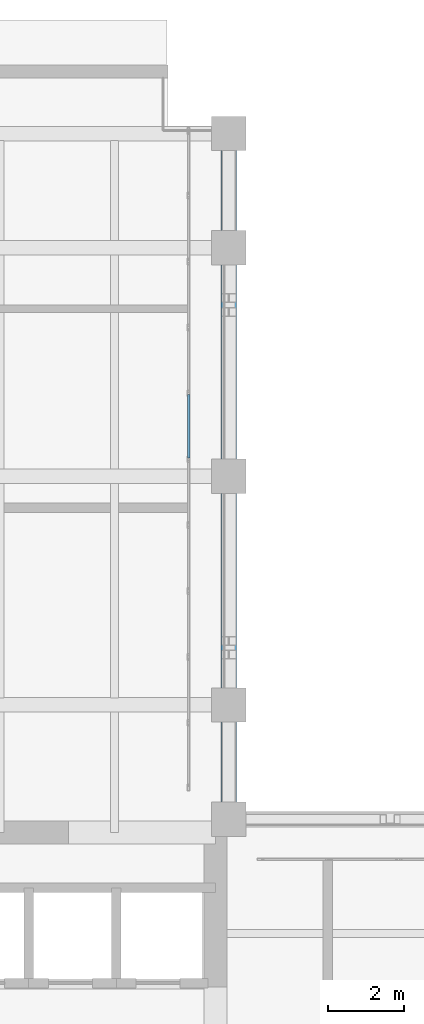
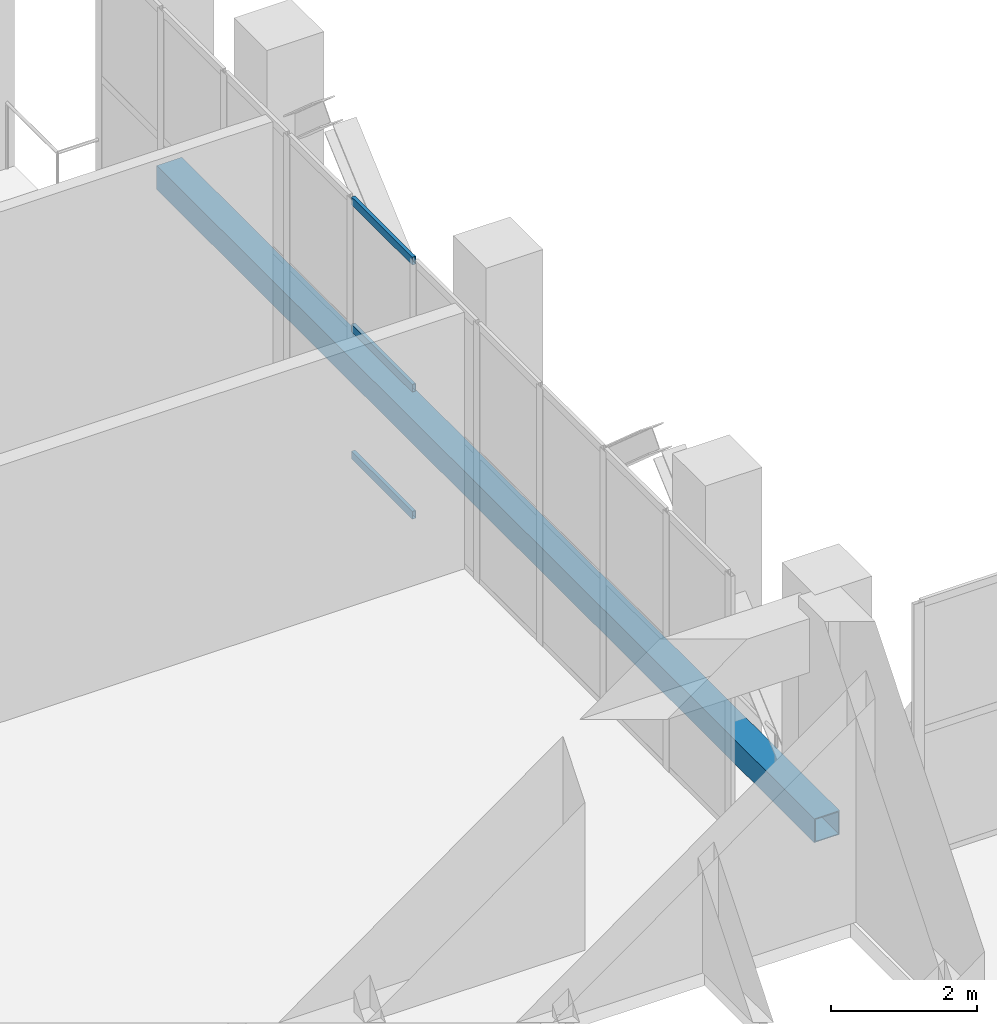
# One storey, part 10 of 26: 4 members, 1 element without a shape of its own.
"""IFC4 building model written with IfcOpenShell, lengths in metres."""

from ifc_helpers import new_model, si_unit, direction, frame, origin, origin_2d, place, context, subcontext, project, spatial, hollow_rectangle, extrude, material, layer, layer_set, material_profile, profile_set, type_object, element, aggregate, save


model = new_model("IFC4")

# Units and contexts
model_context = context("Model", 3, precision=1e-05, world=origin(), true_north=direction((0.0, 1.0)))
body_context = subcontext(model_context, "Body", "Model", "MODEL_VIEW")
ifc_project = project(units=[si_unit("LENGTHUNIT", "METRE"), si_unit("AREAUNIT", "SQUARE_METRE"), si_unit("VOLUMEUNIT", "CUBIC_METRE"), si_unit("PLANEANGLEUNIT", "RADIAN"), si_unit("MASSUNIT", "GRAM", prefix="KILO")], contexts=[model_context])

# Site, building, storey
site_placement = place(None, origin())
site = spatial("IfcSite", under=ifc_project, at=site_placement, CompositionType="ELEMENT")
building_placement = place(site_placement, origin())
building = spatial("IfcBuilding", under=site, at=building_placement, Name="Mawjdan Bourse Tower", CompositionType="ELEMENT")
storey_placement = place(building_placement, frame((0.0, 0.0, 226.800048828125)))
storey = spatial("IfcBuildingStorey", under=building, at=storey_placement, Name="L55", CompositionType="ELEMENT", Elevation=226.800048828125)

# Member
ifc_material_1 = material(Name="Structural Steel S460", Category="steel")
ifc_material_profile_1 = material_profile(ifc_material_1, hollow_rectangle(XDim=0.39990234375, YDim=0.39990234375, WallThickness=0.01611328125, at=origin_2d()), Name="HSS400X400X16")
ifc_profile_set_1 = profile_set([ifc_material_profile_1], Name="Structural Steel S460")
member_type_1 = type_object("IfcMemberType", Name="CHD-HSS400X400X16", PredefinedType="CHORD", material=ifc_profile_set_1)
member_1_placement = place(storey_placement, frame((24.0, 21.0, 0.199951171875), z_axis=(0.0, 1.0, 0.0), x_axis=(-1.0, 0.0, 0.0)))
element("IfcMember", 1, at=member_1_placement, inside=storey, type_object=member_type_1, Name="L55 North Wing Perimeter Belt Truss Bottom Chord", PredefinedType="CHORD", context=body_context, shape_type="SweptSolid", body=[
    extrude(hollow_rectangle(XDim=0.39990234375, YDim=0.39990234375, WallThickness=0.01611328125, at=origin_2d()), origin(), (0.0, 0.0, 1.0), 18.0),
])

# Curtain wall, members
ifc_material_2 = material(Name="Thermally Broken Aluminium and Solar Glass", Category="aluminium")
ifc_layer = layer(ifc_material_2, 0.219970703125)
ifc_layer_set = layer_set([ifc_layer], Name="Thermally Broken Aluminium and Solar Glass")
curtain_wall_type = type_object("IfcCurtainWallType", Name="CW-RFG", PredefinedType="USERDEFINED", material=ifc_layer_set)
curtain_wall_placement = place(storey_placement, origin())
curtain_wall = element("IfcCurtainWall", 2, at=curtain_wall_placement, inside=storey, type_object=curtain_wall_type, Name="L55 Refuge Band North-Wing Louvre Curtain Wall", ObjectType="REFUGE BAND LOUVRE SCREEN", PredefinedType="USERDEFINED")
ifc_material_3 = material(Name="Thermally Broken Anodised Aluminium", Category="aluminium")
ifc_material_profile_2 = material_profile(ifc_material_3, hollow_rectangle(XDim=0.054931640625, YDim=0.1298828125, WallThickness=0.00341796875, at=origin_2d()), Name="ALU-TRN-130X55")
ifc_profile_set_2 = profile_set([ifc_material_profile_2], Name="Thermally Broken Anodised Aluminium")
member_type_2 = type_object("IfcMemberType", Name="TRN-ALU-TRN-130X55", PredefinedType="USERDEFINED", material=ifc_profile_set_2)
member_2_placement = place(storey_placement, frame((22.949951171875, 30.482421875, 0.02734375), z_axis=(0.0, 1.0, 0.0), x_axis=(-1.0, 0.0, 0.0)))
member_2 = element("IfcMember", 3, at=member_2_placement, type_object=member_type_2, Name="CW-RFG-L55-RFG-W transom 6.1", ObjectType="TRANSOM", PredefinedType="USERDEFINED", context=body_context, shape_type="SweptSolid", body=[
    extrude(hollow_rectangle(XDim=0.054931640625, YDim=0.1298828125, WallThickness=0.00341796875, at=origin_2d()), origin(), (0.0, 0.0, 1.0), 1.6650390625),
])
member_3_placement = place(storey_placement, frame((22.949951171875, 30.482421875, 2.14990234375), z_axis=(0.0, 1.0, 0.0), x_axis=(-1.0, 0.0, 0.0)))
member_3 = element("IfcMember", 4, at=member_3_placement, type_object=member_type_2, Name="CW-RFG-L55-RFG-W transom 6.2", ObjectType="TRANSOM", PredefinedType="USERDEFINED", context=body_context, shape_type="SweptSolid", body=[
    extrude(hollow_rectangle(XDim=0.054931640625, YDim=0.1298828125, WallThickness=0.00341796875, at=origin_2d()), origin(), (0.0, 0.0, 1.0), 1.6650390625),
])
member_4_placement = place(storey_placement, frame((22.949951171875, 30.482421875, 4.2724609375), z_axis=(0.0, 1.0, 0.0), x_axis=(-1.0, 0.0, 0.0)))
member_4 = element("IfcMember", 5, at=member_4_placement, type_object=member_type_2, Name="CW-RFG-L55-RFG-W transom 6.3", ObjectType="TRANSOM", PredefinedType="USERDEFINED", context=body_context, shape_type="SweptSolid", body=[
    extrude(hollow_rectangle(XDim=0.054931640625, YDim=0.1298828125, WallThickness=0.00341796875, at=origin_2d()), origin(), (0.0, 0.0, 1.0), 1.6650390625),
])
aggregate(curtain_wall, [member_2, member_3, member_4])

save(model, "model.ifc")
